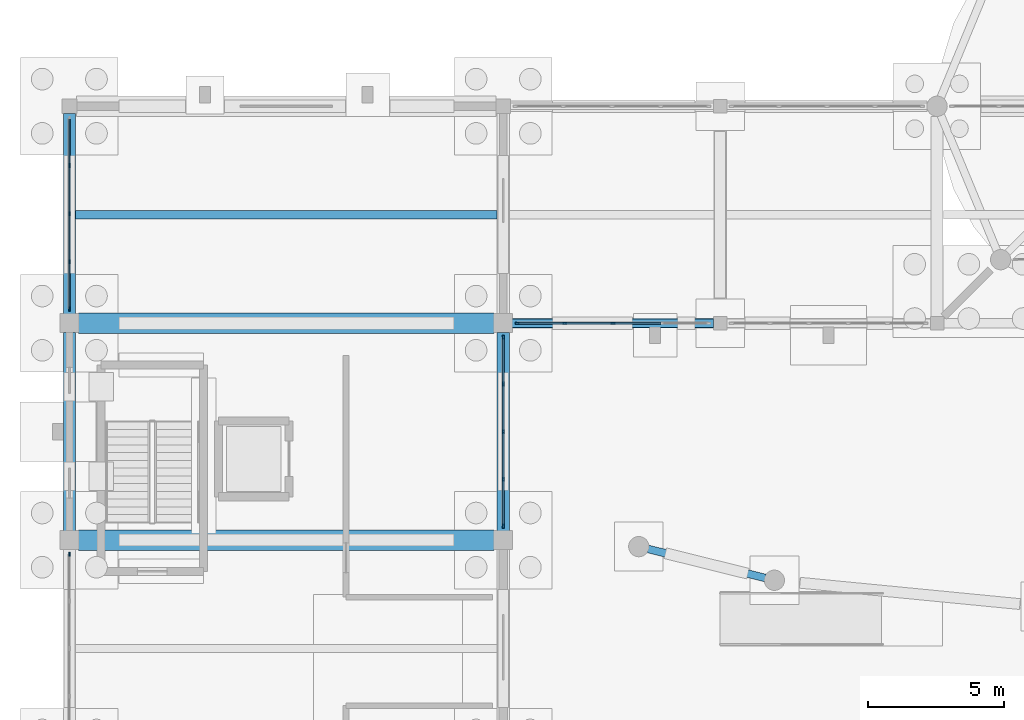
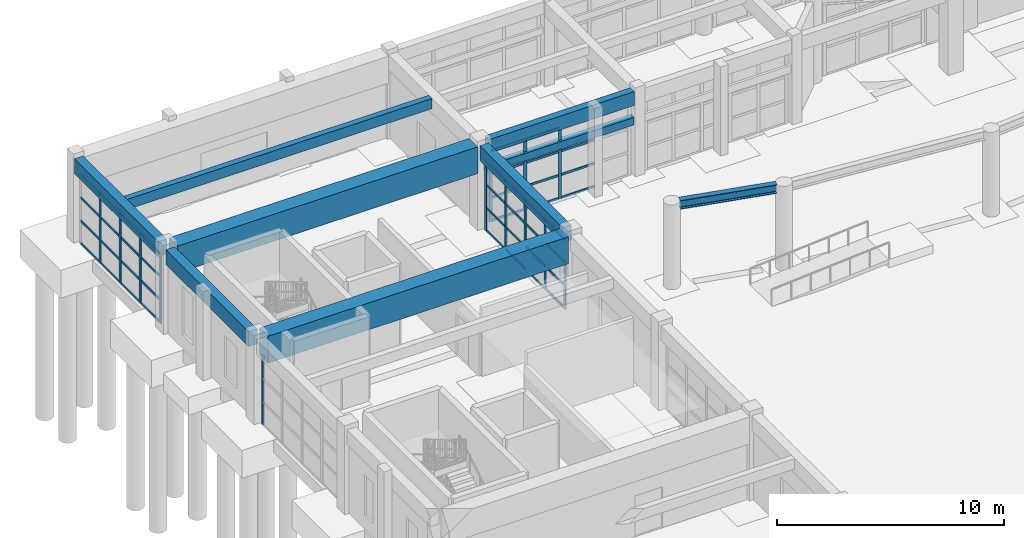
# One storey, part 14 of 68: 56 members, 9 beams, 4 elements without a shape of their own.
"""IFC4 building model written with IfcOpenShell, lengths in metres."""

from ifc_helpers import new_model, si_unit, direction, frame, origin, origin_2d, place, context, subcontext, project, spatial, rectangle, i_section, extrude, material, material_profile, profile_set, type_object, element, aggregate, save


model = new_model("IFC4")

# Units and contexts
model_context = context("Model", 3, precision=1e-05, world=origin(), true_north=direction((0.0, 1.0)))
body_context = subcontext(model_context, "Body", "Model", "MODEL_VIEW")
ifc_project = project(units=[si_unit("LENGTHUNIT", "METRE"), si_unit("AREAUNIT", "SQUARE_METRE"), si_unit("VOLUMEUNIT", "CUBIC_METRE"), si_unit("PLANEANGLEUNIT", "RADIAN"), si_unit("MASSUNIT", "GRAM", prefix="KILO")], contexts=[model_context])

# Site, building, storey
site_placement = place(None, origin())
site = spatial("IfcSite", under=ifc_project, at=site_placement, CompositionType="ELEMENT")
building_placement = place(site_placement, origin())
building = spatial("IfcBuilding", under=site, at=building_placement, Name="Serraluz Foothill Cableway Terminal", CompositionType="ELEMENT")
storey_placement = place(building_placement, origin())
storey = spatial("IfcBuildingStorey", under=building, at=storey_placement, Name="L00", CompositionType="ELEMENT", Elevation=0.0)

# Beams
ifc_material_1 = material(Name="Concrete C35/45 (f'c 35 MPa)", Category="concrete")
ifc_material_profile_1 = material_profile(ifc_material_1, rectangle(XDim=0.449951171875, YDim=0.800048828125, at=origin_2d()), Name="RC 450x800")
ifc_profile_set_1 = profile_set([ifc_material_profile_1], Name="Concrete C35/45 (f'c 35 MPa)")
beam_type_1 = type_object("IfcBeamType", Name="TYP-BM-RC450X800", PredefinedType="BEAM", material=ifc_profile_set_1)
beam_1_placement = place(storey_placement, frame((0.0, 48.345947265625, 4.139892578125), z_axis=(0.0, 1.0, 0.0), x_axis=(-1.0, 0.0, 0.0)))
element("IfcBeam", 1, at=beam_1_placement, inside=storey, type_object=beam_type_1, Name="Transverse Girder BM-Y-L00-0117", PredefinedType="BEAM", context=body_context, shape_type="SweptSolid", body=[
    extrude(rectangle(XDim=0.449951171875, YDim=0.800048828125, at=origin_2d()), origin(), (0.0, 0.0, 1.0), 7.30810546875),
])
beam_2_placement = place(storey_placement, frame((0.0, 56.345947265625, 4.139892578125), z_axis=(0.0, 1.0, 0.0), x_axis=(-1.0, 0.0, 0.0)))
element("IfcBeam", 2, at=beam_2_placement, inside=storey, type_object=beam_type_1, Name="Transverse Girder BM-Y-L00-0118", PredefinedType="BEAM", context=body_context, shape_type="SweptSolid", body=[
    extrude(rectangle(XDim=0.449951171875, YDim=0.800048828125, at=origin_2d()), origin(), (0.0, 0.0, 1.0), 7.383056640625),
])
beam_3_placement = place(storey_placement, frame((16.0, 48.345947265625, 4.139892578125), z_axis=(0.0, 1.0, 0.0), x_axis=(-1.0, 0.0, 0.0)))
element("IfcBeam", 3, at=beam_3_placement, inside=storey, type_object=beam_type_1, Name="Transverse Girder BM-Y-L00-0125", PredefinedType="BEAM", context=body_context, shape_type="SweptSolid", body=[
    extrude(rectangle(XDim=0.449951171875, YDim=0.800048828125, at=origin_2d()), origin(), (0.0, 0.0, 1.0), 7.30810546875),
])
ifc_material_profile_2 = material_profile(ifc_material_1, rectangle(XDim=0.75, YDim=1.449951171875, at=origin_2d()), Name="RC TG 750x1450")
ifc_profile_set_2 = profile_set([ifc_material_profile_2], Name="Concrete C35/45 (f'c 35 MPa)")
beam_type_2 = type_object("IfcBeamType", Name="TYP-BM-RCTG1450", PredefinedType="BEAM", material=ifc_profile_set_2)
for number, where, z_axis, x_axis, name in (
    (4, (0.345947265625, 48.0, 3.81494140625), (1.0, 0.0, 0.0), (0.0, 1.0, 0.0), "Primary Girder BM-X-L00-0055"),
    (5, (0.345947265625, 56.0, 3.81494140625), (1.0, 0.0, 0.0), (0.0, 1.0, 0.0), "Primary Girder BM-X-L00-0057"),
):
    element("IfcBeam", number, at=place(storey_placement, frame(where, z_axis=z_axis, x_axis=x_axis)), inside=storey, type_object=beam_type_2, Name=name, PredefinedType="BEAM", context=body_context, shape_type="SweptSolid", body=[
        extrude(rectangle(XDim=0.75, YDim=1.449951171875, at=origin_2d()), origin(), (0.0, 0.0, 1.0), 15.30810546875),
    ])

# Curtain wall, member
ifc_material_2 = material(Name="Architectural bronze alloy C28000", Category="aluminium")
curtain_wall_type_1 = type_object("IfcCurtainWallType", Name="TYP-CW-520X440", PredefinedType="NOTDEFINED", material=ifc_material_2)
curtain_wall_1_placement = place(storey_placement, origin())
curtain_wall_1 = element("IfcCurtainWall", 6, at=curtain_wall_1_placement, inside=storey, type_object=curtain_wall_type_1, Name="Ribbed Glazed Curtain Wall CW-V5W-L00-40", PredefinedType="NOTDEFINED")
ifc_material_profile_3 = material_profile(ifc_material_2, rectangle(XDim=0.06005859375, YDim=0.159912109375, at=origin_2d()), Name="ALU MULLION 60x160")
ifc_profile_set_3 = profile_set([ifc_material_profile_3], Name="Architectural bronze alloy C28000")
member_type_1 = type_object("IfcMemberType", Name="TYP-CW-MUL-60X160", PredefinedType="MULLION", material=ifc_profile_set_3)
member_1_placement = place(storey_placement, frame((0.0, 47.47998046875, 0.0), z_axis=(0.0, 0.0, 1.0), x_axis=(-1.0, 0.0, 0.0)))
member_1 = element("IfcMember", 7, at=member_1_placement, type_object=member_type_1, Name="CW-08 mullion 5", PredefinedType="MULLION", context=body_context, shape_type="SweptSolid", body=[
    extrude(rectangle(XDim=0.06005859375, YDim=0.159912109375, at=origin_2d()), origin(), (0.0, 0.0, 1.0), 3.739990234375),
])
aggregate(curtain_wall_1, [member_1])

# Curtain wall, members
curtain_wall_type_2 = type_object("IfcCurtainWallType", Name="TYP-CW-480X420", PredefinedType="NOTDEFINED", material=ifc_material_2)
curtain_wall_2_placement = place(storey_placement, origin())
curtain_wall_2 = element("IfcCurtainWall", 8, at=curtain_wall_2_placement, inside=storey, type_object=curtain_wall_type_2, Name="Ribbed Glazed Curtain Wall CW-V5E-L00-48", PredefinedType="NOTDEFINED")
member_2_placement = place(storey_placement, frame((16.0, 55.47998046875, 0.0), z_axis=(0.0, 0.0, 1.0), x_axis=(1.0, 0.0, 0.0)))
member_2 = element("IfcMember", 9, at=member_2_placement, type_object=member_type_1, Name="CW-15 mullion 1", PredefinedType="MULLION", context=body_context, shape_type="SweptSolid", body=[
    extrude(rectangle(XDim=0.06005859375, YDim=0.159912109375, at=origin_2d()), origin(), (0.0, 0.0, 1.0), 3.739990234375),
])
member_3_placement = place(storey_placement, frame((16.0, 53.7548828125, 0.0), z_axis=(0.0, 0.0, 1.0), x_axis=(1.0, 0.0, 0.0)))
member_3 = element("IfcMember", 10, at=member_3_placement, type_object=member_type_1, Name="CW-15 mullion 2", PredefinedType="MULLION", context=body_context, shape_type="SweptSolid", body=[
    extrude(rectangle(XDim=0.06005859375, YDim=0.159912109375, at=origin_2d()), origin(), (0.0, 0.0, 1.0), 3.739990234375),
])
member_4_placement = place(storey_placement, frame((16.0, 52.0, 0.0), z_axis=(0.0, 0.0, 1.0), x_axis=(1.0, 0.0, 0.0)))
member_4 = element("IfcMember", 11, at=member_4_placement, type_object=member_type_1, Name="CW-15 mullion 3", PredefinedType="MULLION", context=body_context, shape_type="SweptSolid", body=[
    extrude(rectangle(XDim=0.06005859375, YDim=0.159912109375, at=origin_2d()), origin(), (0.0, 0.0, 1.0), 3.739990234375),
])
member_5_placement = place(storey_placement, frame((16.0, 50.2451171875, 0.0), z_axis=(0.0, 0.0, 1.0), x_axis=(1.0, 0.0, 0.0)))
member_5 = element("IfcMember", 12, at=member_5_placement, type_object=member_type_1, Name="CW-15 mullion 4", PredefinedType="MULLION", context=body_context, shape_type="SweptSolid", body=[
    extrude(rectangle(XDim=0.06005859375, YDim=0.159912109375, at=origin_2d()), origin(), (0.0, 0.0, 1.0), 3.739990234375),
])
member_6_placement = place(storey_placement, frame((16.0, 48.52001953125, 0.0), z_axis=(0.0, 0.0, 1.0), x_axis=(1.0, 0.0, 0.0)))
member_6 = element("IfcMember", 13, at=member_6_placement, type_object=member_type_1, Name="CW-15 mullion 5", PredefinedType="MULLION", context=body_context, shape_type="SweptSolid", body=[
    extrude(rectangle(XDim=0.06005859375, YDim=0.159912109375, at=origin_2d()), origin(), (0.0, 0.0, 1.0), 3.739990234375),
])

curtain_wall_type_3 = type_object("IfcCurtainWallType", Name="TYP-CW-540X420", PredefinedType="NOTDEFINED", material=ifc_material_2)
curtain_wall_3_placement = place(storey_placement, origin())
curtain_wall_3 = element("IfcCurtainWall", 14, at=curtain_wall_3_placement, inside=storey, type_object=curtain_wall_type_3, Name="Ribbed Glazed Curtain Wall CW-V5W-L00-56", PredefinedType="NOTDEFINED")
member_7_placement = place(storey_placement, frame((0.0, 56.52001953125, 0.0), z_axis=(0.0, 0.0, 1.0), x_axis=(-1.0, 0.0, 0.0)))
member_7 = element("IfcMember", 15, at=member_7_placement, type_object=member_type_1, Name="CW-10 mullion 1", PredefinedType="MULLION", context=body_context, shape_type="SweptSolid", body=[
    extrude(rectangle(XDim=0.06005859375, YDim=0.159912109375, at=origin_2d()), origin(), (0.0, 0.0, 1.0), 3.739990234375),
])
member_8_placement = place(storey_placement, frame((0.0, 58.263671875, 0.0), z_axis=(0.0, 0.0, 1.0), x_axis=(-1.0, 0.0, 0.0)))
member_8 = element("IfcMember", 16, at=member_8_placement, type_object=member_type_1, Name="CW-10 mullion 2", PredefinedType="MULLION", context=body_context, shape_type="SweptSolid", body=[
    extrude(rectangle(XDim=0.06005859375, YDim=0.159912109375, at=origin_2d()), origin(), (0.0, 0.0, 1.0), 3.739990234375),
])
member_9_placement = place(storey_placement, frame((0.0, 60.03759765625, 0.0), z_axis=(0.0, 0.0, 1.0), x_axis=(-1.0, 0.0, 0.0)))
member_9 = element("IfcMember", 17, at=member_9_placement, type_object=member_type_1, Name="CW-10 mullion 3", PredefinedType="MULLION", context=body_context, shape_type="SweptSolid", body=[
    extrude(rectangle(XDim=0.06005859375, YDim=0.159912109375, at=origin_2d()), origin(), (0.0, 0.0, 1.0), 3.739990234375),
])
member_10_placement = place(storey_placement, frame((0.0, 61.811279296875, 0.0), z_axis=(0.0, 0.0, 1.0), x_axis=(-1.0, 0.0, 0.0)))
member_10 = element("IfcMember", 18, at=member_10_placement, type_object=member_type_1, Name="CW-10 mullion 4", PredefinedType="MULLION", context=body_context, shape_type="SweptSolid", body=[
    extrude(rectangle(XDim=0.06005859375, YDim=0.159912109375, at=origin_2d()), origin(), (0.0, 0.0, 1.0), 3.739990234375),
])

curtain_wall_type_4 = type_object("IfcCurtainWallType", Name="TYP-CW-710X420", PredefinedType="NOTDEFINED", material=ifc_material_2)
curtain_wall_4_placement = place(storey_placement, origin())
curtain_wall_4 = element("IfcCurtainWall", 19, at=curtain_wall_4_placement, inside=storey, type_object=curtain_wall_type_4, Name="Ribbed Glazed Curtain Wall CW-WLS-L00-16", PredefinedType="NOTDEFINED")
member_11_placement = place(storey_placement, frame((20.050048828125, 56.0, 0.0), z_axis=(0.0, 0.0, 1.0), x_axis=(0.0, -1.0, 0.0)))
member_11 = element("IfcMember", 20, at=member_11_placement, type_object=member_type_1, Name="CW-01 mullion 3", PredefinedType="MULLION", context=body_context, shape_type="SweptSolid", body=[
    extrude(rectangle(XDim=0.06005859375, YDim=0.159912109375, at=origin_2d()), origin(), (0.0, 0.0, 1.0), 3.81005859375),
])
member_12_placement = place(storey_placement, frame((18.27001953125, 56.0, 0.0), z_axis=(0.0, 0.0, 1.0), x_axis=(0.0, -1.0, 0.0)))
member_12 = element("IfcMember", 21, at=member_12_placement, type_object=member_type_1, Name="CW-01 mullion 4", PredefinedType="MULLION", context=body_context, shape_type="SweptSolid", body=[
    extrude(rectangle(XDim=0.06005859375, YDim=0.159912109375, at=origin_2d()), origin(), (0.0, 0.0, 1.0), 3.81005859375),
])
member_13_placement = place(storey_placement, frame((16.52001953125, 56.0, 0.0), z_axis=(0.0, 0.0, 1.0), x_axis=(0.0, -1.0, 0.0)))
member_13 = element("IfcMember", 22, at=member_13_placement, type_object=member_type_1, Name="CW-01 mullion 5", PredefinedType="MULLION", context=body_context, shape_type="SweptSolid", body=[
    extrude(rectangle(XDim=0.06005859375, YDim=0.159912109375, at=origin_2d()), origin(), (0.0, 0.0, 1.0), 3.81005859375),
])

# Member
ifc_material_profile_4 = material_profile(ifc_material_2, rectangle(XDim=0.06005859375, YDim=0.1201171875, at=origin_2d()), Name="ALU TRANSOM 60x120")
ifc_profile_set_4 = profile_set([ifc_material_profile_4], Name="Architectural bronze alloy C28000")
member_type_2 = type_object("IfcMemberType", Name="TYP-CW-TRN-60X120", PredefinedType="USERDEFINED", material=ifc_profile_set_4)
member_14_placement = place(storey_placement, frame((16.0, 55.449951171875, 0.030029296875), z_axis=(0.0, -1.0, 0.0), x_axis=(1.0, 0.0, 0.0)))
member_14 = element("IfcMember", 23, at=member_14_placement, type_object=member_type_2, Name="CW-15 transom 1.1", ObjectType="TRANSOM", PredefinedType="USERDEFINED", context=body_context, shape_type="SweptSolid", body=[
    extrude(rectangle(XDim=0.06005859375, YDim=0.1201171875, at=origin_2d()), origin(), (0.0, 0.0, 1.0), 1.6650390625),
])

member_15_placement = place(storey_placement, frame((16.0, 55.449951171875, 1.24658203125), z_axis=(0.0, -1.0, 0.0), x_axis=(1.0, 0.0, 0.0)))
member_15 = element("IfcMember", 24, at=member_15_placement, type_object=member_type_2, Name="CW-15 transom 1.2", ObjectType="TRANSOM", PredefinedType="USERDEFINED", context=body_context, shape_type="SweptSolid", body=[
    extrude(rectangle(XDim=0.06005859375, YDim=0.1201171875, at=origin_2d()), origin(), (0.0, 0.0, 1.0), 1.6650390625),
])

member_16_placement = place(storey_placement, frame((16.0, 55.449951171875, 2.493408203125), z_axis=(0.0, -1.0, 0.0), x_axis=(1.0, 0.0, 0.0)))
member_16 = element("IfcMember", 25, at=member_16_placement, type_object=member_type_2, Name="CW-15 transom 1.3", ObjectType="TRANSOM", PredefinedType="USERDEFINED", context=body_context, shape_type="SweptSolid", body=[
    extrude(rectangle(XDim=0.06005859375, YDim=0.1201171875, at=origin_2d()), origin(), (0.0, 0.0, 1.0), 1.6650390625),
])

member_17_placement = place(storey_placement, frame((16.0, 55.449951171875, 3.7099609375), z_axis=(0.0, -1.0, 0.0), x_axis=(1.0, 0.0, 0.0)))
member_17 = element("IfcMember", 26, at=member_17_placement, type_object=member_type_2, Name="CW-15 transom 1.4", ObjectType="TRANSOM", PredefinedType="USERDEFINED", context=body_context, shape_type="SweptSolid", body=[
    extrude(rectangle(XDim=0.06005859375, YDim=0.1201171875, at=origin_2d()), origin(), (0.0, 0.0, 1.0), 1.6650390625),
])

member_18_placement = place(storey_placement, frame((16.0, 53.72509765625, 0.030029296875), z_axis=(0.0, -1.0, 0.0), x_axis=(1.0, 0.0, 0.0)))
member_18 = element("IfcMember", 27, at=member_18_placement, type_object=member_type_2, Name="CW-15 transom 2.1", ObjectType="TRANSOM", PredefinedType="USERDEFINED", context=body_context, shape_type="SweptSolid", body=[
    extrude(rectangle(XDim=0.06005859375, YDim=0.1201171875, at=origin_2d()), origin(), (0.0, 0.0, 1.0), 1.695068359375),
])

member_19_placement = place(storey_placement, frame((16.0, 53.72509765625, 1.24658203125), z_axis=(0.0, -1.0, 0.0), x_axis=(1.0, 0.0, 0.0)))
member_19 = element("IfcMember", 28, at=member_19_placement, type_object=member_type_2, Name="CW-15 transom 2.2", ObjectType="TRANSOM", PredefinedType="USERDEFINED", context=body_context, shape_type="SweptSolid", body=[
    extrude(rectangle(XDim=0.06005859375, YDim=0.1201171875, at=origin_2d()), origin(), (0.0, 0.0, 1.0), 1.695068359375),
])

member_20_placement = place(storey_placement, frame((16.0, 53.72509765625, 2.493408203125), z_axis=(0.0, -1.0, 0.0), x_axis=(1.0, 0.0, 0.0)))
member_20 = element("IfcMember", 29, at=member_20_placement, type_object=member_type_2, Name="CW-15 transom 2.3", ObjectType="TRANSOM", PredefinedType="USERDEFINED", context=body_context, shape_type="SweptSolid", body=[
    extrude(rectangle(XDim=0.06005859375, YDim=0.1201171875, at=origin_2d()), origin(), (0.0, 0.0, 1.0), 1.695068359375),
])

member_21_placement = place(storey_placement, frame((16.0, 53.72509765625, 3.7099609375), z_axis=(0.0, -1.0, 0.0), x_axis=(1.0, 0.0, 0.0)))
member_21 = element("IfcMember", 30, at=member_21_placement, type_object=member_type_2, Name="CW-15 transom 2.4", ObjectType="TRANSOM", PredefinedType="USERDEFINED", context=body_context, shape_type="SweptSolid", body=[
    extrude(rectangle(XDim=0.06005859375, YDim=0.1201171875, at=origin_2d()), origin(), (0.0, 0.0, 1.0), 1.695068359375),
])

member_22_placement = place(storey_placement, frame((16.0, 51.969970703125, 0.030029296875), z_axis=(0.0, -1.0, 0.0), x_axis=(1.0, 0.0, 0.0)))
member_22 = element("IfcMember", 31, at=member_22_placement, type_object=member_type_2, Name="CW-15 transom 3.1", ObjectType="TRANSOM", PredefinedType="USERDEFINED", context=body_context, shape_type="SweptSolid", body=[
    extrude(rectangle(XDim=0.06005859375, YDim=0.1201171875, at=origin_2d()), origin(), (0.0, 0.0, 1.0), 1.695068359375),
])

member_23_placement = place(storey_placement, frame((16.0, 51.969970703125, 1.24658203125), z_axis=(0.0, -1.0, 0.0), x_axis=(1.0, 0.0, 0.0)))
member_23 = element("IfcMember", 32, at=member_23_placement, type_object=member_type_2, Name="CW-15 transom 3.2", ObjectType="TRANSOM", PredefinedType="USERDEFINED", context=body_context, shape_type="SweptSolid", body=[
    extrude(rectangle(XDim=0.06005859375, YDim=0.1201171875, at=origin_2d()), origin(), (0.0, 0.0, 1.0), 1.695068359375),
])

member_24_placement = place(storey_placement, frame((16.0, 51.969970703125, 2.493408203125), z_axis=(0.0, -1.0, 0.0), x_axis=(1.0, 0.0, 0.0)))
member_24 = element("IfcMember", 33, at=member_24_placement, type_object=member_type_2, Name="CW-15 transom 3.3", ObjectType="TRANSOM", PredefinedType="USERDEFINED", context=body_context, shape_type="SweptSolid", body=[
    extrude(rectangle(XDim=0.06005859375, YDim=0.1201171875, at=origin_2d()), origin(), (0.0, 0.0, 1.0), 1.695068359375),
])

member_25_placement = place(storey_placement, frame((16.0, 51.969970703125, 3.7099609375), z_axis=(0.0, -1.0, 0.0), x_axis=(1.0, 0.0, 0.0)))
member_25 = element("IfcMember", 34, at=member_25_placement, type_object=member_type_2, Name="CW-15 transom 3.4", ObjectType="TRANSOM", PredefinedType="USERDEFINED", context=body_context, shape_type="SweptSolid", body=[
    extrude(rectangle(XDim=0.06005859375, YDim=0.1201171875, at=origin_2d()), origin(), (0.0, 0.0, 1.0), 1.695068359375),
])

member_26_placement = place(storey_placement, frame((16.0, 50.215087890625, 0.030029296875), z_axis=(0.0, -1.0, 0.0), x_axis=(1.0, 0.0, 0.0)))
member_26 = element("IfcMember", 35, at=member_26_placement, type_object=member_type_2, Name="CW-15 transom 4.1", ObjectType="TRANSOM", PredefinedType="USERDEFINED", context=body_context, shape_type="SweptSolid", body=[
    extrude(rectangle(XDim=0.06005859375, YDim=0.1201171875, at=origin_2d()), origin(), (0.0, 0.0, 1.0), 1.6650390625),
])

member_27_placement = place(storey_placement, frame((16.0, 50.215087890625, 1.24658203125), z_axis=(0.0, -1.0, 0.0), x_axis=(1.0, 0.0, 0.0)))
member_27 = element("IfcMember", 36, at=member_27_placement, type_object=member_type_2, Name="CW-15 transom 4.2", ObjectType="TRANSOM", PredefinedType="USERDEFINED", context=body_context, shape_type="SweptSolid", body=[
    extrude(rectangle(XDim=0.06005859375, YDim=0.1201171875, at=origin_2d()), origin(), (0.0, 0.0, 1.0), 1.6650390625),
])

member_28_placement = place(storey_placement, frame((16.0, 50.215087890625, 2.493408203125), z_axis=(0.0, -1.0, 0.0), x_axis=(1.0, 0.0, 0.0)))
member_28 = element("IfcMember", 37, at=member_28_placement, type_object=member_type_2, Name="CW-15 transom 4.3", ObjectType="TRANSOM", PredefinedType="USERDEFINED", context=body_context, shape_type="SweptSolid", body=[
    extrude(rectangle(XDim=0.06005859375, YDim=0.1201171875, at=origin_2d()), origin(), (0.0, 0.0, 1.0), 1.6650390625),
])

member_29_placement = place(storey_placement, frame((16.0, 50.215087890625, 3.7099609375), z_axis=(0.0, -1.0, 0.0), x_axis=(1.0, 0.0, 0.0)))
member_29 = element("IfcMember", 38, at=member_29_placement, type_object=member_type_2, Name="CW-15 transom 4.4", ObjectType="TRANSOM", PredefinedType="USERDEFINED", context=body_context, shape_type="SweptSolid", body=[
    extrude(rectangle(XDim=0.06005859375, YDim=0.1201171875, at=origin_2d()), origin(), (0.0, 0.0, 1.0), 1.6650390625),
])

aggregate(curtain_wall_2, [member_2, member_3, member_4, member_5, member_6, member_14, member_15, member_16, member_17, member_18, member_19, member_20, member_21, member_22, member_23, member_24, member_25, member_26, member_27, member_28, member_29])

member_30_placement = place(storey_placement, frame((0.0, 56.550048828125, 0.030029296875), z_axis=(0.0, 1.0, 0.0), x_axis=(-1.0, 0.0, 0.0)))
member_30 = element("IfcMember", 39, at=member_30_placement, type_object=member_type_2, Name="CW-10 transom 1.1", ObjectType="TRANSOM", PredefinedType="USERDEFINED", context=body_context, shape_type="SweptSolid", body=[
    extrude(rectangle(XDim=0.06005859375, YDim=0.1201171875, at=origin_2d()), origin(), (0.0, 0.0, 1.0), 1.68359375),
])

member_31_placement = place(storey_placement, frame((0.0, 56.550048828125, 1.24658203125), z_axis=(0.0, 1.0, 0.0), x_axis=(-1.0, 0.0, 0.0)))
member_31 = element("IfcMember", 40, at=member_31_placement, type_object=member_type_2, Name="CW-10 transom 1.2", ObjectType="TRANSOM", PredefinedType="USERDEFINED", context=body_context, shape_type="SweptSolid", body=[
    extrude(rectangle(XDim=0.06005859375, YDim=0.1201171875, at=origin_2d()), origin(), (0.0, 0.0, 1.0), 1.68359375),
])

member_32_placement = place(storey_placement, frame((0.0, 56.550048828125, 2.493408203125), z_axis=(0.0, 1.0, 0.0), x_axis=(-1.0, 0.0, 0.0)))
member_32 = element("IfcMember", 41, at=member_32_placement, type_object=member_type_2, Name="CW-10 transom 1.3", ObjectType="TRANSOM", PredefinedType="USERDEFINED", context=body_context, shape_type="SweptSolid", body=[
    extrude(rectangle(XDim=0.06005859375, YDim=0.1201171875, at=origin_2d()), origin(), (0.0, 0.0, 1.0), 1.68359375),
])

member_33_placement = place(storey_placement, frame((0.0, 56.550048828125, 3.7099609375), z_axis=(0.0, 1.0, 0.0), x_axis=(-1.0, 0.0, 0.0)))
member_33 = element("IfcMember", 42, at=member_33_placement, type_object=member_type_2, Name="CW-10 transom 1.4", ObjectType="TRANSOM", PredefinedType="USERDEFINED", context=body_context, shape_type="SweptSolid", body=[
    extrude(rectangle(XDim=0.06005859375, YDim=0.1201171875, at=origin_2d()), origin(), (0.0, 0.0, 1.0), 1.68359375),
])

member_34_placement = place(storey_placement, frame((0.0, 58.293701171875, 0.030029296875), z_axis=(0.0, 1.0, 0.0), x_axis=(-1.0, 0.0, 0.0)))
member_34 = element("IfcMember", 43, at=member_34_placement, type_object=member_type_2, Name="CW-10 transom 2.1", ObjectType="TRANSOM", PredefinedType="USERDEFINED", context=body_context, shape_type="SweptSolid", body=[
    extrude(rectangle(XDim=0.06005859375, YDim=0.1201171875, at=origin_2d()), origin(), (0.0, 0.0, 1.0), 1.7138671875),
])

member_35_placement = place(storey_placement, frame((0.0, 58.293701171875, 1.24658203125), z_axis=(0.0, 1.0, 0.0), x_axis=(-1.0, 0.0, 0.0)))
member_35 = element("IfcMember", 44, at=member_35_placement, type_object=member_type_2, Name="CW-10 transom 2.2", ObjectType="TRANSOM", PredefinedType="USERDEFINED", context=body_context, shape_type="SweptSolid", body=[
    extrude(rectangle(XDim=0.06005859375, YDim=0.1201171875, at=origin_2d()), origin(), (0.0, 0.0, 1.0), 1.7138671875),
])

member_36_placement = place(storey_placement, frame((0.0, 58.293701171875, 2.493408203125), z_axis=(0.0, 1.0, 0.0), x_axis=(-1.0, 0.0, 0.0)))
member_36 = element("IfcMember", 45, at=member_36_placement, type_object=member_type_2, Name="CW-10 transom 2.3", ObjectType="TRANSOM", PredefinedType="USERDEFINED", context=body_context, shape_type="SweptSolid", body=[
    extrude(rectangle(XDim=0.06005859375, YDim=0.1201171875, at=origin_2d()), origin(), (0.0, 0.0, 1.0), 1.7138671875),
])

member_37_placement = place(storey_placement, frame((0.0, 58.293701171875, 3.7099609375), z_axis=(0.0, 1.0, 0.0), x_axis=(-1.0, 0.0, 0.0)))
member_37 = element("IfcMember", 46, at=member_37_placement, type_object=member_type_2, Name="CW-10 transom 2.4", ObjectType="TRANSOM", PredefinedType="USERDEFINED", context=body_context, shape_type="SweptSolid", body=[
    extrude(rectangle(XDim=0.06005859375, YDim=0.1201171875, at=origin_2d()), origin(), (0.0, 0.0, 1.0), 1.7138671875),
])

member_38_placement = place(storey_placement, frame((0.0, 60.0673828125, 0.030029296875), z_axis=(0.0, 1.0, 0.0), x_axis=(-1.0, 0.0, 0.0)))
member_38 = element("IfcMember", 47, at=member_38_placement, type_object=member_type_2, Name="CW-10 transom 3.1", ObjectType="TRANSOM", PredefinedType="USERDEFINED", context=body_context, shape_type="SweptSolid", body=[
    extrude(rectangle(XDim=0.06005859375, YDim=0.1201171875, at=origin_2d()), origin(), (0.0, 0.0, 1.0), 1.7138671875),
])

member_39_placement = place(storey_placement, frame((0.0, 60.0673828125, 1.24658203125), z_axis=(0.0, 1.0, 0.0), x_axis=(-1.0, 0.0, 0.0)))
member_39 = element("IfcMember", 48, at=member_39_placement, type_object=member_type_2, Name="CW-10 transom 3.2", ObjectType="TRANSOM", PredefinedType="USERDEFINED", context=body_context, shape_type="SweptSolid", body=[
    extrude(rectangle(XDim=0.06005859375, YDim=0.1201171875, at=origin_2d()), origin(), (0.0, 0.0, 1.0), 1.7138671875),
])

member_40_placement = place(storey_placement, frame((0.0, 60.0673828125, 2.493408203125), z_axis=(0.0, 1.0, 0.0), x_axis=(-1.0, 0.0, 0.0)))
member_40 = element("IfcMember", 49, at=member_40_placement, type_object=member_type_2, Name="CW-10 transom 3.3", ObjectType="TRANSOM", PredefinedType="USERDEFINED", context=body_context, shape_type="SweptSolid", body=[
    extrude(rectangle(XDim=0.06005859375, YDim=0.1201171875, at=origin_2d()), origin(), (0.0, 0.0, 1.0), 1.7138671875),
])

member_41_placement = place(storey_placement, frame((0.0, 60.0673828125, 3.7099609375), z_axis=(0.0, 1.0, 0.0), x_axis=(-1.0, 0.0, 0.0)))
member_41 = element("IfcMember", 50, at=member_41_placement, type_object=member_type_2, Name="CW-10 transom 3.4", ObjectType="TRANSOM", PredefinedType="USERDEFINED", context=body_context, shape_type="SweptSolid", body=[
    extrude(rectangle(XDim=0.06005859375, YDim=0.1201171875, at=origin_2d()), origin(), (0.0, 0.0, 1.0), 1.7138671875),
])

member_42_placement = place(storey_placement, frame((0.0, 61.84130859375, 0.030029296875), z_axis=(0.0, 1.0, 0.0), x_axis=(-1.0, 0.0, 0.0)))
member_42 = element("IfcMember", 51, at=member_42_placement, type_object=member_type_2, Name="CW-10 transom 4.1", ObjectType="TRANSOM", PredefinedType="USERDEFINED", context=body_context, shape_type="SweptSolid", body=[
    extrude(rectangle(XDim=0.06005859375, YDim=0.1201171875, at=origin_2d()), origin(), (0.0, 0.0, 1.0), 1.68359375),
])

member_43_placement = place(storey_placement, frame((0.0, 61.84130859375, 1.24658203125), z_axis=(0.0, 1.0, 0.0), x_axis=(-1.0, 0.0, 0.0)))
member_43 = element("IfcMember", 52, at=member_43_placement, type_object=member_type_2, Name="CW-10 transom 4.2", ObjectType="TRANSOM", PredefinedType="USERDEFINED", context=body_context, shape_type="SweptSolid", body=[
    extrude(rectangle(XDim=0.06005859375, YDim=0.1201171875, at=origin_2d()), origin(), (0.0, 0.0, 1.0), 1.68359375),
])

member_44_placement = place(storey_placement, frame((0.0, 61.84130859375, 2.493408203125), z_axis=(0.0, 1.0, 0.0), x_axis=(-1.0, 0.0, 0.0)))
member_44 = element("IfcMember", 53, at=member_44_placement, type_object=member_type_2, Name="CW-10 transom 4.3", ObjectType="TRANSOM", PredefinedType="USERDEFINED", context=body_context, shape_type="SweptSolid", body=[
    extrude(rectangle(XDim=0.06005859375, YDim=0.1201171875, at=origin_2d()), origin(), (0.0, 0.0, 1.0), 1.68359375),
])

member_45_placement = place(storey_placement, frame((0.0, 61.84130859375, 3.7099609375), z_axis=(0.0, 1.0, 0.0), x_axis=(-1.0, 0.0, 0.0)))
member_45 = element("IfcMember", 54, at=member_45_placement, type_object=member_type_2, Name="CW-10 transom 4.4", ObjectType="TRANSOM", PredefinedType="USERDEFINED", context=body_context, shape_type="SweptSolid", body=[
    extrude(rectangle(XDim=0.06005859375, YDim=0.1201171875, at=origin_2d()), origin(), (0.0, 0.0, 1.0), 1.68359375),
])

aggregate(curtain_wall_3, [member_7, member_8, member_9, member_10, member_30, member_31, member_32, member_33, member_34, member_35, member_36, member_37, member_38, member_39, member_40, member_41, member_42, member_43, member_44, member_45])

member_46_placement = place(storey_placement, frame((21.800048828125, 56.0, 0.030029296875), z_axis=(-1.0, 0.0, 0.0), x_axis=(0.0, -1.0, 0.0)))
member_46 = element("IfcMember", 55, at=member_46_placement, type_object=member_type_2, Name="CW-01 transom 2.1", ObjectType="TRANSOM", PredefinedType="USERDEFINED", context=body_context, shape_type="SweptSolid", body=[
    extrude(rectangle(XDim=0.06005859375, YDim=0.1201171875, at=origin_2d()), origin(), (0.0, 0.0, 1.0), 1.719970703125),
])

member_47_placement = place(storey_placement, frame((21.800048828125, 56.0, 1.27001953125), z_axis=(-1.0, 0.0, 0.0), x_axis=(0.0, -1.0, 0.0)))
member_47 = element("IfcMember", 56, at=member_47_placement, type_object=member_type_2, Name="CW-01 transom 2.2", ObjectType="TRANSOM", PredefinedType="USERDEFINED", context=body_context, shape_type="SweptSolid", body=[
    extrude(rectangle(XDim=0.06005859375, YDim=0.1201171875, at=origin_2d()), origin(), (0.0, 0.0, 1.0), 1.719970703125),
])

member_48_placement = place(storey_placement, frame((21.800048828125, 56.0, 2.5400390625), z_axis=(-1.0, 0.0, 0.0), x_axis=(0.0, -1.0, 0.0)))
member_48 = element("IfcMember", 57, at=member_48_placement, type_object=member_type_2, Name="CW-01 transom 2.3", ObjectType="TRANSOM", PredefinedType="USERDEFINED", context=body_context, shape_type="SweptSolid", body=[
    extrude(rectangle(XDim=0.06005859375, YDim=0.1201171875, at=origin_2d()), origin(), (0.0, 0.0, 1.0), 1.719970703125),
])

member_49_placement = place(storey_placement, frame((20.02001953125, 56.0, 0.030029296875), z_axis=(-1.0, 0.0, 0.0), x_axis=(0.0, -1.0, 0.0)))
member_49 = element("IfcMember", 58, at=member_49_placement, type_object=member_type_2, Name="CW-01 transom 3.1", ObjectType="TRANSOM", PredefinedType="USERDEFINED", context=body_context, shape_type="SweptSolid", body=[
    extrude(rectangle(XDim=0.06005859375, YDim=0.1201171875, at=origin_2d()), origin(), (0.0, 0.0, 1.0), 1.719970703125),
])

member_50_placement = place(storey_placement, frame((20.02001953125, 56.0, 1.27001953125), z_axis=(-1.0, 0.0, 0.0), x_axis=(0.0, -1.0, 0.0)))
member_50 = element("IfcMember", 59, at=member_50_placement, type_object=member_type_2, Name="CW-01 transom 3.2", ObjectType="TRANSOM", PredefinedType="USERDEFINED", context=body_context, shape_type="SweptSolid", body=[
    extrude(rectangle(XDim=0.06005859375, YDim=0.1201171875, at=origin_2d()), origin(), (0.0, 0.0, 1.0), 1.719970703125),
])

member_51_placement = place(storey_placement, frame((20.02001953125, 56.0, 2.5400390625), z_axis=(-1.0, 0.0, 0.0), x_axis=(0.0, -1.0, 0.0)))
member_51 = element("IfcMember", 60, at=member_51_placement, type_object=member_type_2, Name="CW-01 transom 3.3", ObjectType="TRANSOM", PredefinedType="USERDEFINED", context=body_context, shape_type="SweptSolid", body=[
    extrude(rectangle(XDim=0.06005859375, YDim=0.1201171875, at=origin_2d()), origin(), (0.0, 0.0, 1.0), 1.719970703125),
])

member_52_placement = place(storey_placement, frame((20.02001953125, 56.0, 3.780029296875), z_axis=(-1.0, 0.0, 0.0), x_axis=(0.0, -1.0, 0.0)))
member_52 = element("IfcMember", 61, at=member_52_placement, type_object=member_type_2, Name="CW-01 transom 3.4", ObjectType="TRANSOM", PredefinedType="USERDEFINED", context=body_context, shape_type="SweptSolid", body=[
    extrude(rectangle(XDim=0.06005859375, YDim=0.1201171875, at=origin_2d()), origin(), (0.0, 0.0, 1.0), 1.719970703125),
])

member_53_placement = place(storey_placement, frame((18.239990234375, 56.0, 0.030029296875), z_axis=(-1.0, 0.0, 0.0), x_axis=(0.0, -1.0, 0.0)))
member_53 = element("IfcMember", 62, at=member_53_placement, type_object=member_type_2, Name="CW-01 transom 4.1", ObjectType="TRANSOM", PredefinedType="USERDEFINED", context=body_context, shape_type="SweptSolid", body=[
    extrude(rectangle(XDim=0.06005859375, YDim=0.1201171875, at=origin_2d()), origin(), (0.0, 0.0, 1.0), 1.68994140625),
])

member_54_placement = place(storey_placement, frame((18.239990234375, 56.0, 1.27001953125), z_axis=(-1.0, 0.0, 0.0), x_axis=(0.0, -1.0, 0.0)))
member_54 = element("IfcMember", 63, at=member_54_placement, type_object=member_type_2, Name="CW-01 transom 4.2", ObjectType="TRANSOM", PredefinedType="USERDEFINED", context=body_context, shape_type="SweptSolid", body=[
    extrude(rectangle(XDim=0.06005859375, YDim=0.1201171875, at=origin_2d()), origin(), (0.0, 0.0, 1.0), 1.68994140625),
])

member_55_placement = place(storey_placement, frame((18.239990234375, 56.0, 2.5400390625), z_axis=(-1.0, 0.0, 0.0), x_axis=(0.0, -1.0, 0.0)))
member_55 = element("IfcMember", 64, at=member_55_placement, type_object=member_type_2, Name="CW-01 transom 4.3", ObjectType="TRANSOM", PredefinedType="USERDEFINED", context=body_context, shape_type="SweptSolid", body=[
    extrude(rectangle(XDim=0.06005859375, YDim=0.1201171875, at=origin_2d()), origin(), (0.0, 0.0, 1.0), 1.68994140625),
])

member_56_placement = place(storey_placement, frame((18.239990234375, 56.0, 3.780029296875), z_axis=(-1.0, 0.0, 0.0), x_axis=(0.0, -1.0, 0.0)))
member_56 = element("IfcMember", 65, at=member_56_placement, type_object=member_type_2, Name="CW-01 transom 4.4", ObjectType="TRANSOM", PredefinedType="USERDEFINED", context=body_context, shape_type="SweptSolid", body=[
    extrude(rectangle(XDim=0.06005859375, YDim=0.1201171875, at=origin_2d()), origin(), (0.0, 0.0, 1.0), 1.68994140625),
])

aggregate(curtain_wall_4, [member_11, member_12, member_13, member_46, member_47, member_48, member_49, member_50, member_51, member_52, member_53, member_54, member_55, member_56])

# Beams
ifc_material_3 = material(Name="Concrete C28/35 (f'c 28 MPa)", Category="concrete")
ifc_material_profile_5 = material_profile(ifc_material_3, rectangle(XDim=0.300048828125, YDim=0.550048828125, at=origin_2d()), Name="RC 300x550")
ifc_profile_set_5 = profile_set([ifc_material_profile_5], Name="Concrete C28/35 (f'c 28 MPa)")
beam_type_3 = type_object("IfcBeamType", Name="TYP-JS-RC300X550", PredefinedType="JOIST", material=ifc_profile_set_5)
beam_4_placement = place(storey_placement, frame((0.22998046875, 60.0, 4.264892578125), z_axis=(1.0, 0.0, 0.0), x_axis=(0.0, 1.0, 0.0)))
element("IfcBeam", 66, at=beam_4_placement, inside=storey, type_object=beam_type_3, Name="Secondary Floor Joist JS-L00-0014", PredefinedType="JOIST", context=body_context, shape_type="SweptSolid", body=[
    extrude(rectangle(XDim=0.300048828125, YDim=0.550048828125, at=origin_2d()), origin(), (0.0, 0.0, 1.0), 15.5400390625),
])
ifc_material_4 = material(Name="Precast concrete C40/50", Category="concrete")
ifc_material_profile_6 = material_profile(ifc_material_4, rectangle(XDim=0.300048828125, YDim=0.39990234375, at=origin_2d()), Name="RC LN 300x400")
ifc_profile_set_6 = profile_set([ifc_material_profile_6], Name="Precast concrete C40/50")
beam_type_4 = type_object("IfcBeamType", Name="TYP-LN-300X400", PredefinedType="LINTEL", material=ifc_profile_set_6)
beam_5_placement = place(storey_placement, frame((16.25, 56.0, 2.949951171875), z_axis=(1.0, 0.0, 0.0), x_axis=(0.0, 1.0, 0.0)))
element("IfcBeam", 67, at=beam_5_placement, inside=storey, type_object=beam_type_4, Name="Arcade Portal Lintel LN-PORTAL-01", PredefinedType="LINTEL", context=body_context, shape_type="SweptSolid", body=[
    extrude(rectangle(XDim=0.300048828125, YDim=0.39990234375, at=origin_2d()), origin(), (0.0, 0.0, 1.0), 7.5),
])
ifc_material_profile_7 = material_profile(ifc_material_4, rectangle(XDim=0.35009765625, YDim=0.75, at=origin_2d()), Name="RC SP 350x750")
ifc_profile_set_7 = profile_set([ifc_material_profile_7], Name="Precast concrete C40/50")
beam_type_5 = type_object("IfcBeamType", Name="TYP-SP-RC350X750", PredefinedType="SPANDREL", material=ifc_profile_set_7)
beam_6_placement = place(storey_placement, frame((16.345947265625, 56.0, 4.18505859375), z_axis=(1.0, 0.0, 0.0), x_axis=(0.0, 1.0, 0.0)))
element("IfcBeam", 68, at=beam_6_placement, inside=storey, type_object=beam_type_5, Name="Primary Girder BM-X-L00-0058", PredefinedType="SPANDREL", context=body_context, shape_type="SweptSolid", body=[
    extrude(rectangle(XDim=0.35009765625, YDim=0.75, at=origin_2d()), origin(), (0.0, 0.0, 1.0), 7.407958984375),
])
ifc_material_5 = material(Name="Steel ASTM A992 Grade 50", Category="steel")
ifc_material_profile_8 = material_profile(ifc_material_5, i_section(OverallWidth=0.282958984375, OverallDepth=0.471923828125, WebThickness=0.013671875, FlangeThickness=0.022216796875, FilletRadius=0.014892578125, at=origin_2d()), Name="W18X97")
ifc_profile_set_8 = profile_set([ifc_material_profile_8], Name="Steel ASTM A992 Grade 50")
beam_type_6 = type_object("IfcBeamType", Name="TYP-SP-W18X97", PredefinedType="SPANDREL", material=ifc_profile_set_8)
beam_7_placement = place(storey_placement, frame((21.339599609375, 47.67626953125, 4.323974609375), z_axis=(0.970598864102, -0.240702814699, 0.0), x_axis=(0.240702814699, 0.970598864102, 0.0)))
element("IfcBeam", 69, at=beam_7_placement, inside=storey, type_object=beam_type_6, Name="Plaza Canopy Arc Edge Beam 1", PredefinedType="SPANDREL", context=body_context, shape_type="SweptSolid", body=[
    extrude(i_section(OverallWidth=0.282958984375, OverallDepth=0.471923828125, WebThickness=0.013671875, FlangeThickness=0.022216796875, FilletRadius=0.014892578125, at=origin_2d()), origin(), (0.0, 0.0, 1.0), 4.45166015625),
])

save(model, "model.ifc")
